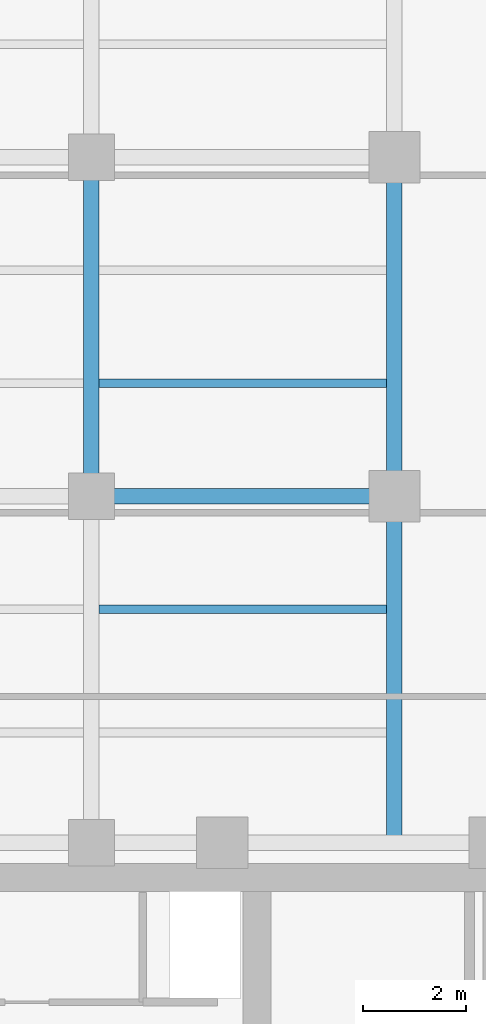
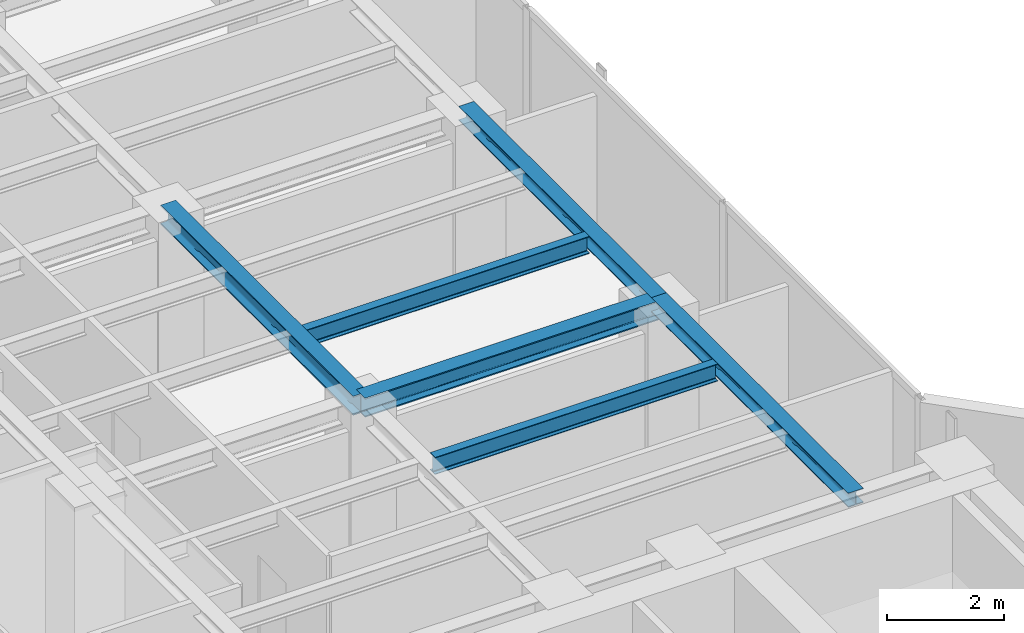
# One storey, part 9 of 23: 6 beams.
"""IFC4 building model written with IfcOpenShell, lengths in metres."""

from ifc_helpers import new_model, si_unit, direction, frame, origin, origin_2d, place, context, subcontext, project, spatial, i_section, extrude, material, material_profile, profile_set, type_object, element, save


model = new_model("IFC4")

# Units and contexts
model_context = context("Model", 3, precision=1e-05, world=origin(), true_north=direction((0.0, 1.0)))
body_context = subcontext(model_context, "Body", "Model", "MODEL_VIEW")
ifc_project = project(units=[si_unit("LENGTHUNIT", "METRE"), si_unit("AREAUNIT", "SQUARE_METRE"), si_unit("VOLUMEUNIT", "CUBIC_METRE"), si_unit("PLANEANGLEUNIT", "RADIAN"), si_unit("MASSUNIT", "GRAM", prefix="KILO")], contexts=[model_context])

# Site, building, storey
site_placement = place(None, origin())
site = spatial("IfcSite", under=ifc_project, at=site_placement, CompositionType="ELEMENT")
building_placement = place(site_placement, origin())
building = spatial("IfcBuilding", under=site, at=building_placement, Name="Kolvaren Waterfront Exchange", CompositionType="ELEMENT")
storey_placement = place(building_placement, frame((0.0, 0.0, 234.89990234375)))
storey = spatial("IfcBuildingStorey", under=building, at=storey_placement, Name="L60", CompositionType="ELEMENT", Elevation=234.89990234375)

# Beams
ifc_material = material(Name="Steel S355", Category="steel")
ifc_material_profile_1 = material_profile(ifc_material, i_section(OverallWidth=0.300048828125, OverallDepth=0.300048828125, WebThickness=0.010986328125, FlangeThickness=0.01904296875, FilletRadius=0.027099609375, at=origin_2d()), Name="HEB300")
ifc_profile_set_1 = profile_set([ifc_material_profile_1], Name="Steel S355")
beam_type_1 = type_object("IfcBeamType", Name="STR-BM-HEB300", PredefinedType="SPANDREL", material=ifc_profile_set_1)
beam_1_placement = place(storey_placement, frame((18.800048828125, 24.449951171875, 3.41015625), z_axis=(0.0, 1.0, 0.0), x_axis=(-1.0, 0.0, 0.0)))
element("IfcBeam", 1, at=beam_1_placement, inside=storey, type_object=beam_type_1, Name="L60 north-arm edge beam 1", PredefinedType="SPANDREL", context=body_context, shape_type="SweptSolid", body=[
    extrude(i_section(OverallWidth=0.300048828125, OverallDepth=0.300048828125, WebThickness=0.010986328125, FlangeThickness=0.01904296875, FilletRadius=0.027099609375, at=origin_2d()), origin(), (0.0, 0.0, 1.0), 6.75),
])
beam_2_placement = place(storey_placement, frame((18.800048828125, 31.199951171875, 3.41015625), z_axis=(0.0, 1.0, 0.0), x_axis=(-1.0, 0.0, 0.0)))
element("IfcBeam", 2, at=beam_2_placement, inside=storey, type_object=beam_type_1, Name="L60 north-arm edge beam 2", PredefinedType="SPANDREL", context=body_context, shape_type="SweptSolid", body=[
    extrude(i_section(OverallWidth=0.300048828125, OverallDepth=0.300048828125, WebThickness=0.010986328125, FlangeThickness=0.01904296875, FilletRadius=0.027099609375, at=origin_2d()), origin(), (0.0, 0.0, 1.0), 6.60009765625),
])
ifc_material_profile_2 = material_profile(ifc_material, i_section(OverallWidth=0.300048828125, OverallDepth=0.39990234375, WebThickness=0.013427734375, FlangeThickness=0.02392578125, FilletRadius=0.027099609375, at=origin_2d()), Name="HEB400")
ifc_profile_set_2 = profile_set([ifc_material_profile_2], Name="Steel S355")
beam_type_2 = type_object("IfcBeamType", Name="STR-BM-HEB400", PredefinedType="BEAM", material=ifc_profile_set_2)
beam_3_placement = place(storey_placement, frame((12.89990234375, 31.199951171875, 3.360107421875), z_axis=(1.0, 0.0, 0.0), x_axis=(0.0, 1.0, 0.0)))
element("IfcBeam", 3, at=beam_3_placement, inside=storey, type_object=beam_type_2, Name="L60 north-arm girder 2B", PredefinedType="BEAM", context=body_context, shape_type="SweptSolid", body=[
    extrude(i_section(OverallWidth=0.300048828125, OverallDepth=0.39990234375, WebThickness=0.013427734375, FlangeThickness=0.02392578125, FilletRadius=0.027099609375, at=origin_2d()), origin(), (0.0, 0.0, 1.0), 5.900146484375),
])
beam_4_placement = place(storey_placement, frame((12.89990234375, 31.199951171875, 3.360107421875), z_axis=(0.0, 1.0, 0.0), x_axis=(-1.0, 0.0, 0.0)))
element("IfcBeam", 4, at=beam_4_placement, inside=storey, type_object=beam_type_2, Name="L60 north-arm edge beam 2", PredefinedType="BEAM", context=body_context, shape_type="SweptSolid", body=[
    extrude(i_section(OverallWidth=0.300048828125, OverallDepth=0.39990234375, WebThickness=0.013427734375, FlangeThickness=0.02392578125, FilletRadius=0.027099609375, at=origin_2d()), origin(), (0.0, 0.0, 1.0), 6.60009765625),
])
ifc_material_profile_3 = material_profile(ifc_material, i_section(OverallWidth=0.169921875, OverallDepth=0.360107421875, WebThickness=0.008056640625, FlangeThickness=0.0126953125, FilletRadius=0.01806640625, at=origin_2d()), Name="IPE360")
ifc_profile_set_3 = profile_set([ifc_material_profile_3], Name="Steel S355")
beam_type_3 = type_object("IfcBeamType", Name="STR-BM-IPE360", PredefinedType="JOIST", material=ifc_profile_set_3)
for number, where, z_axis, x_axis, name in (
    (5, (13.052001953125, 29.0, 3.380126953125), (1.0, 0.0, 0.0), (0.0, 1.0, 0.0), "L60 north-arm composite joist 2B"),
    (6, (13.052001953125, 33.39990234375, 3.380126953125), (1.0, 0.0, 0.0), (0.0, 1.0, 0.0), "L60 north-arm composite joist 3B"),
):
    element("IfcBeam", number, at=place(storey_placement, frame(where, z_axis=z_axis, x_axis=x_axis)), inside=storey, type_object=beam_type_3, Name=name, PredefinedType="JOIST", context=body_context, shape_type="SweptSolid", body=[
        extrude(i_section(OverallWidth=0.169921875, OverallDepth=0.360107421875, WebThickness=0.008056640625, FlangeThickness=0.0126953125, FilletRadius=0.01806640625, at=origin_2d()), origin(), (0.0, 0.0, 1.0), 5.595947265625),
    ])

save(model, "model.ifc")
